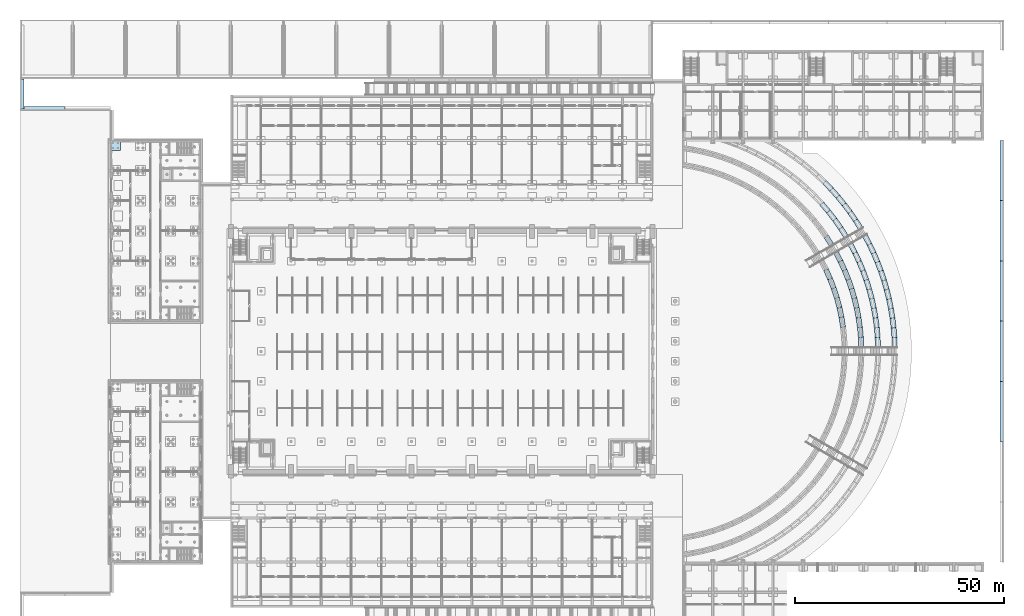
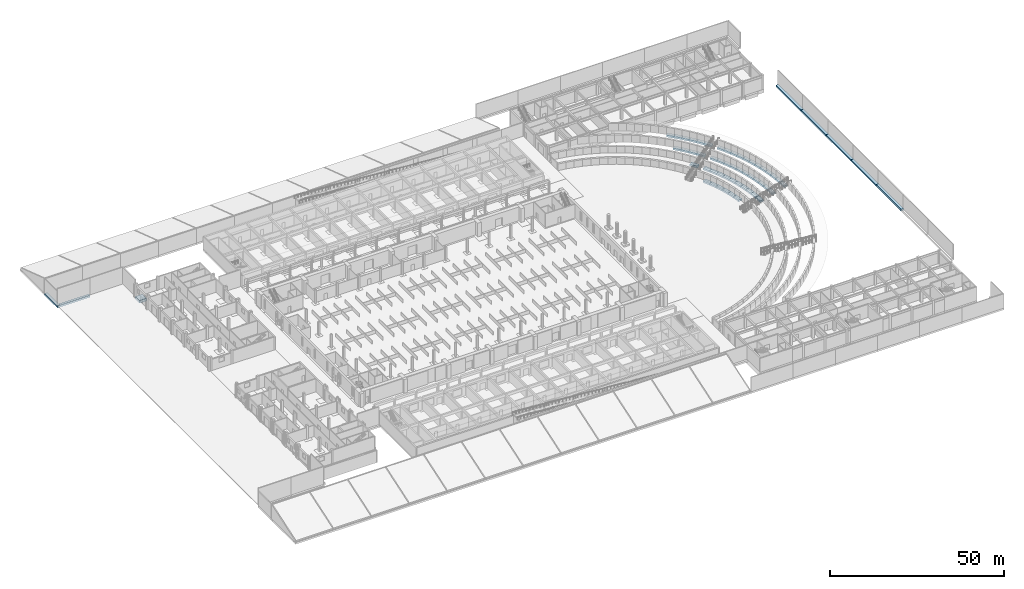
# One storey, part 10 of 73: 58 footings.
"""IFC4 building model written with IfcOpenShell, lengths in metres."""

from ifc_helpers import new_model, si_unit, direction, frame, origin, place, context, subcontext, project, spatial, polyline, outline, extrude, material, type_object, element, save


model = new_model("IFC4")

# Units and contexts
model_context = context("Model", 3, precision=1e-05, world=origin(), true_north=direction((0.0, 1.0)))
body_context = subcontext(model_context, "Body", "Model", "MODEL_VIEW")
ifc_project = project(units=[si_unit("LENGTHUNIT", "METRE"), si_unit("AREAUNIT", "SQUARE_METRE"), si_unit("VOLUMEUNIT", "CUBIC_METRE"), si_unit("PLANEANGLEUNIT", "RADIAN"), si_unit("MASSUNIT", "GRAM", prefix="KILO")], contexts=[model_context])

# Site, building, storey
site_placement = place(None, origin())
site = spatial("IfcSite", under=ifc_project, at=site_placement, CompositionType="ELEMENT")
building_placement = place(site_placement, origin())
building = spatial("IfcBuilding", under=site, at=building_placement, Name="Alderwick Market Hall", CompositionType="ELEMENT")
storey_placement = place(building_placement, origin())
storey = spatial("IfcBuildingStorey", under=building, at=storey_placement, Name="LG", CompositionType="ELEMENT", Elevation=0.0)

# Footings
ifc_material_1 = material(Name="Concrete 5000 psi (f'c 35 MPa)", Category="concrete")
footing_type_1 = type_object("IfcFootingType", Name="B Pile Cap 2400x2400x900", PredefinedType="PILE_CAP", material=ifc_material_1)
footing_1_placement = place(storey_placement, frame((0.0, 0.0, -0.89990234375)))
element("IfcFooting", 1, at=footing_1_placement, inside=storey, type_object=footing_type_1, Name="B.N.cap.003-003", PredefinedType="PILE_CAP", context=body_context, shape_type="SweptSolid", body=[
    extrude(outline(polyline([(21.60009765625, 127.199951171875), (24.0, 127.199951171875), (24.0, 129.60009765625), (21.60009765625, 129.60009765625), (21.60009765625, 127.199951171875)])), origin(), (0.0, 0.0, 1.0), 0.89990234375),
])
ifc_material_2 = material(Name="Concrete 4000 psi (f'c 28 MPa)", Category="concrete")
footing_type_2 = type_object("IfcFootingType", Name="S Strip Footing 900", PredefinedType="STRIP_FOOTING", material=ifc_material_2)
footing_2_placement = place(storey_placement, frame((0.0, 0.0, -0.85009765625)))
element("IfcFooting", 2, at=footing_2_placement, inside=storey, type_object=footing_type_2, Name="S.efoot.03a.1", PredefinedType="STRIP_FOOTING", context=body_context, shape_type="SweptSolid", body=[
    extrude(outline(polyline([(10.800048828125, 136.800048828125), (10.800048828125, 137.699951171875), (0.0, 137.699951171875), (0.0, 136.800048828125), (10.800048828125, 136.800048828125)])), origin(), (0.0, 0.0, 1.0), 0.60009765625),
])
footing_3_placement = place(storey_placement, frame((0.0, 0.0, -0.800048828125)))
element("IfcFooting", 3, at=footing_3_placement, inside=storey, type_object=footing_type_2, Name="S.ffoot.W1.28", PredefinedType="STRIP_FOOTING", context=body_context, shape_type="SweptSolid", body=[
    extrude(outline(polyline([(197.322998046875, 85.052490234375), (196.947265625, 87.45068359375), (195.76708984375, 87.233642578125), (196.1328125, 84.898681640625), (197.322998046875, 85.052490234375)])), origin(), (0.0, 0.0, 1.0), 0.60009765625),
])
footing_4_placement = place(storey_placement, frame((0.0, 0.0, -0.800048828125)))
element("IfcFooting", 4, at=footing_4_placement, inside=storey, type_object=footing_type_2, Name="S.ffoot.W1.29", PredefinedType="STRIP_FOOTING", context=body_context, shape_type="SweptSolid", body=[
    extrude(outline(polyline([(196.947265625, 87.45068359375), (196.444580078125, 89.82568359375), (195.27783203125, 89.5458984375), (195.76708984375, 87.233642578125), (196.947265625, 87.45068359375)])), origin(), (0.0, 0.0, 1.0), 0.60009765625),
])
footing_5_placement = place(storey_placement, frame((0.0, 0.0, -0.800048828125)))
element("IfcFooting", 5, at=footing_5_placement, inside=storey, type_object=footing_type_2, Name="S.ffoot.W1.30", PredefinedType="STRIP_FOOTING", context=body_context, shape_type="SweptSolid", body=[
    extrude(outline(polyline([(196.444580078125, 89.82568359375), (195.81640625, 92.17041015625), (194.666015625, 91.8291015625), (195.27783203125, 89.5458984375), (196.444580078125, 89.82568359375)])), origin(), (0.0, 0.0, 1.0), 0.60009765625),
])
footing_6_placement = place(storey_placement, frame((0.0, 0.0, -0.800048828125)))
element("IfcFooting", 6, at=footing_6_placement, inside=storey, type_object=footing_type_2, Name="S.ffoot.W1.31", PredefinedType="STRIP_FOOTING", context=body_context, shape_type="SweptSolid", body=[
    extrude(outline(polyline([(195.81640625, 92.17041015625), (195.064208984375, 94.478271484375), (193.93359375, 94.076171875), (194.666015625, 91.8291015625), (195.81640625, 92.17041015625)])), origin(), (0.0, 0.0, 1.0), 0.60009765625),
])
footing_7_placement = place(storey_placement, frame((0.0, 0.0, -0.800048828125)))
element("IfcFooting", 7, at=footing_7_placement, inside=storey, type_object=footing_type_2, Name="S.ffoot.W1.32", PredefinedType="STRIP_FOOTING", context=body_context, shape_type="SweptSolid", body=[
    extrude(outline(polyline([(195.064208984375, 94.478271484375), (194.1904296875, 96.742919921875), (193.082763671875, 96.28125), (193.93359375, 94.076171875), (195.064208984375, 94.478271484375)])), origin(), (0.0, 0.0, 1.0), 0.60009765625),
])
footing_8_placement = place(storey_placement, frame((0.0, 0.0, -0.800048828125)))
element("IfcFooting", 8, at=footing_8_placement, inside=storey, type_object=footing_type_2, Name="S.ffoot.W1.33", PredefinedType="STRIP_FOOTING", context=body_context, shape_type="SweptSolid", body=[
    extrude(outline(polyline([(194.1904296875, 96.742919921875), (193.197265625, 98.957763671875), (192.11572265625, 98.43798828125), (193.082763671875, 96.28125), (194.1904296875, 96.742919921875)])), origin(), (0.0, 0.0, 1.0), 0.60009765625),
])
footing_9_placement = place(storey_placement, frame((0.0, 0.0, 0.300048828125)))
element("IfcFooting", 9, at=footing_9_placement, inside=storey, type_object=footing_type_2, Name="S.ffoot.W2.29", PredefinedType="STRIP_FOOTING", context=body_context, shape_type="SweptSolid", body=[
    extrude(outline(polyline([(201.689697265625, 80.212158203125), (201.5830078125, 82.604248046875), (200.385986328125, 82.52197265625), (200.489990234375, 80.187744140625), (201.689697265625, 80.212158203125)])), origin(), (0.0, 0.0, 1.0), 0.599853515625),
])
footing_10_placement = place(storey_placement, frame((0.0, 0.0, 0.300048828125)))
element("IfcFooting", 10, at=footing_10_placement, inside=storey, type_object=footing_type_2, Name="S.ffoot.W2.30", PredefinedType="STRIP_FOOTING", context=body_context, shape_type="SweptSolid", body=[
    extrude(outline(polyline([(201.5830078125, 82.604248046875), (201.361083984375, 84.98828125), (200.169189453125, 84.84814453125), (200.385986328125, 82.52197265625), (201.5830078125, 82.604248046875)])), origin(), (0.0, 0.0, 1.0), 0.599853515625),
])
footing_11_placement = place(storey_placement, frame((0.0, 0.0, 0.300048828125)))
element("IfcFooting", 11, at=footing_11_placement, inside=storey, type_object=footing_type_2, Name="S.ffoot.W2.31", PredefinedType="STRIP_FOOTING", context=body_context, shape_type="SweptSolid", body=[
    extrude(outline(polyline([(201.361083984375, 84.98828125), (201.0244140625, 87.35888671875), (199.8408203125, 87.161376953125), (200.169189453125, 84.84814453125), (201.361083984375, 84.98828125)])), origin(), (0.0, 0.0, 1.0), 0.599853515625),
])
footing_12_placement = place(storey_placement, frame((0.0, 0.0, 0.300048828125)))
element("IfcFooting", 12, at=footing_12_placement, inside=storey, type_object=footing_type_2, Name="S.ffoot.W2.32", PredefinedType="STRIP_FOOTING", context=body_context, shape_type="SweptSolid", body=[
    extrude(outline(polyline([(201.0244140625, 87.35888671875), (200.573486328125, 89.71044921875), (199.40087890625, 89.4560546875), (199.8408203125, 87.161376953125), (201.0244140625, 87.35888671875)])), origin(), (0.0, 0.0, 1.0), 0.599853515625),
])
footing_13_placement = place(storey_placement, frame((0.0, 0.0, 0.300048828125)))
element("IfcFooting", 13, at=footing_13_placement, inside=storey, type_object=footing_type_2, Name="S.ffoot.W2.33", PredefinedType="STRIP_FOOTING", context=body_context, shape_type="SweptSolid", body=[
    extrude(outline(polyline([(200.573486328125, 89.71044921875), (200.010009765625, 92.037353515625), (198.850830078125, 91.726806640625), (199.40087890625, 89.4560546875), (200.573486328125, 89.71044921875)])), origin(), (0.0, 0.0, 1.0), 0.599853515625),
])
footing_14_placement = place(storey_placement, frame((0.0, 0.0, 0.300048828125)))
element("IfcFooting", 14, at=footing_14_placement, inside=storey, type_object=footing_type_2, Name="S.ffoot.W2.34", PredefinedType="STRIP_FOOTING", context=body_context, shape_type="SweptSolid", body=[
    extrude(outline(polyline([(200.010009765625, 92.037353515625), (199.334716796875, 94.334716796875), (198.19189453125, 93.968505859375), (198.850830078125, 91.726806640625), (200.010009765625, 92.037353515625)])), origin(), (0.0, 0.0, 1.0), 0.599853515625),
])
footing_15_placement = place(storey_placement, frame((0.0, 0.0, 0.300048828125)))
element("IfcFooting", 15, at=footing_15_placement, inside=storey, type_object=footing_type_2, Name="S.ffoot.W2.35", PredefinedType="STRIP_FOOTING", context=body_context, shape_type="SweptSolid", body=[
    extrude(outline(polyline([(199.334716796875, 94.334716796875), (198.54931640625, 96.596435546875), (197.42529296875, 96.175537109375), (198.19189453125, 93.968505859375), (199.334716796875, 94.334716796875)])), origin(), (0.0, 0.0, 1.0), 0.599853515625),
])
footing_16_placement = place(storey_placement, frame((0.0, 0.0, 0.300048828125)))
element("IfcFooting", 16, at=footing_16_placement, inside=storey, type_object=footing_type_2, Name="S.ffoot.W2.36", PredefinedType="STRIP_FOOTING", context=body_context, shape_type="SweptSolid", body=[
    extrude(outline(polyline([(198.54931640625, 96.596435546875), (197.655517578125, 98.81787109375), (196.55322265625, 98.343017578125), (197.42529296875, 96.175537109375), (198.54931640625, 96.596435546875)])), origin(), (0.0, 0.0, 1.0), 0.599853515625),
])
footing_17_placement = place(storey_placement, frame((0.0, 0.0, 0.300048828125)))
element("IfcFooting", 17, at=footing_17_placement, inside=storey, type_object=footing_type_2, Name="S.ffoot.W2.37", PredefinedType="STRIP_FOOTING", context=body_context, shape_type="SweptSolid", body=[
    extrude(outline(polyline([(197.655517578125, 98.81787109375), (196.65576171875, 100.993408203125), (195.57763671875, 100.466064453125), (196.55322265625, 98.343017578125), (197.655517578125, 98.81787109375)])), origin(), (0.0, 0.0, 1.0), 0.599853515625),
])
footing_18_placement = place(storey_placement, frame((0.0, 0.0, 0.300048828125)))
element("IfcFooting", 18, at=footing_18_placement, inside=storey, type_object=footing_type_2, Name="S.ffoot.W2.38", PredefinedType="STRIP_FOOTING", context=body_context, shape_type="SweptSolid", body=[
    extrude(outline(polyline([(196.65576171875, 100.993408203125), (195.552001953125, 103.1181640625), (194.500732421875, 102.53955078125), (195.57763671875, 100.466064453125), (196.65576171875, 100.993408203125)])), origin(), (0.0, 0.0, 1.0), 0.599853515625),
])
footing_19_placement = place(storey_placement, frame((0.0, 0.0, 0.300048828125)))
element("IfcFooting", 19, at=footing_19_placement, inside=storey, type_object=footing_type_2, Name="S.ffoot.W2.39", PredefinedType="STRIP_FOOTING", context=body_context, shape_type="SweptSolid", body=[
    extrude(outline(polyline([(194.539794921875, 104.87158203125), (193.20703125, 106.95556640625), (192.21240234375, 106.2841796875), (193.512939453125, 104.25048828125), (194.539794921875, 104.87158203125)])), origin(), (0.0, 0.0, 1.0), 0.599853515625),
])
footing_20_placement = place(storey_placement, frame((0.0, 0.0, 1.5)))
element("IfcFooting", 20, at=footing_20_placement, inside=storey, type_object=footing_type_2, Name="S.ffoot.W3.27", PredefinedType="STRIP_FOOTING", context=body_context, shape_type="SweptSolid", body=[
    extrude(outline(polyline([(205.6904296875, 80.211181640625), (205.593505859375, 82.57666015625), (204.39599609375, 82.5009765625), (204.49072265625, 80.188720703125), (205.6904296875, 80.211181640625)])), origin(), (0.0, 0.0, 1.0), 0.60009765625),
])
footing_21_placement = place(storey_placement, frame((0.0, 0.0, 1.5)))
element("IfcFooting", 21, at=footing_21_placement, inside=storey, type_object=footing_type_2, Name="S.ffoot.W3.28", PredefinedType="STRIP_FOOTING", context=body_context, shape_type="SweptSolid", body=[
    extrude(outline(polyline([(205.593505859375, 82.57666015625), (205.392333984375, 84.935302734375), (204.19921875, 84.806884765625), (204.39599609375, 82.5009765625), (205.593505859375, 82.57666015625)])), origin(), (0.0, 0.0, 1.0), 0.60009765625),
])
footing_22_placement = place(storey_placement, frame((0.0, 0.0, 1.5)))
element("IfcFooting", 22, at=footing_22_placement, inside=storey, type_object=footing_type_2, Name="S.ffoot.W3.29", PredefinedType="STRIP_FOOTING", context=body_context, shape_type="SweptSolid", body=[
    extrude(outline(polyline([(205.392333984375, 84.935302734375), (205.087158203125, 87.28271484375), (203.90087890625, 87.101806640625), (204.19921875, 84.806884765625), (205.392333984375, 84.935302734375)])), origin(), (0.0, 0.0, 1.0), 0.60009765625),
])
footing_23_placement = place(storey_placement, frame((0.0, 0.0, 1.5)))
element("IfcFooting", 23, at=footing_23_placement, inside=storey, type_object=footing_type_2, Name="S.ffoot.W3.30", PredefinedType="STRIP_FOOTING", context=body_context, shape_type="SweptSolid", body=[
    extrude(outline(polyline([(205.087158203125, 87.28271484375), (204.678466796875, 89.614501953125), (203.501220703125, 89.38134765625), (203.90087890625, 87.101806640625), (205.087158203125, 87.28271484375)])), origin(), (0.0, 0.0, 1.0), 0.60009765625),
])
footing_24_placement = place(storey_placement, frame((0.0, 0.0, 1.5)))
element("IfcFooting", 24, at=footing_24_placement, inside=storey, type_object=footing_type_2, Name="S.ffoot.W3.31", PredefinedType="STRIP_FOOTING", context=body_context, shape_type="SweptSolid", body=[
    extrude(outline(polyline([(204.678466796875, 89.614501953125), (204.167236328125, 91.926025390625), (203.001708984375, 91.64111328125), (203.501220703125, 89.38134765625), (204.678466796875, 89.614501953125)])), origin(), (0.0, 0.0, 1.0), 0.60009765625),
])
footing_25_placement = place(storey_placement, frame((0.0, 0.0, 1.5)))
element("IfcFooting", 25, at=footing_25_placement, inside=storey, type_object=footing_type_2, Name="S.ffoot.W3.32", PredefinedType="STRIP_FOOTING", context=body_context, shape_type="SweptSolid", body=[
    extrude(outline(polyline([(204.167236328125, 91.926025390625), (203.5546875, 94.212646484375), (202.402587890625, 93.87646484375), (203.001708984375, 91.64111328125), (204.167236328125, 91.926025390625)])), origin(), (0.0, 0.0, 1.0), 0.60009765625),
])
footing_26_placement = place(storey_placement, frame((0.0, 0.0, 1.5)))
element("IfcFooting", 26, at=footing_26_placement, inside=storey, type_object=footing_type_2, Name="S.ffoot.W3.33", PredefinedType="STRIP_FOOTING", context=body_context, shape_type="SweptSolid", body=[
    extrude(outline(polyline([(203.5546875, 94.212646484375), (202.841552734375, 96.469970703125), (201.70556640625, 96.083251953125), (202.402587890625, 93.87646484375), (203.5546875, 94.212646484375)])), origin(), (0.0, 0.0, 1.0), 0.60009765625),
])
footing_27_placement = place(storey_placement, frame((0.0, 0.0, 1.5)))
element("IfcFooting", 27, at=footing_27_placement, inside=storey, type_object=footing_type_2, Name="S.ffoot.W3.34", PredefinedType="STRIP_FOOTING", context=body_context, shape_type="SweptSolid", body=[
    extrude(outline(polyline([(202.841552734375, 96.469970703125), (202.029541015625, 98.693603515625), (200.91162109375, 98.257080078125), (201.70556640625, 96.083251953125), (202.841552734375, 96.469970703125)])), origin(), (0.0, 0.0, 1.0), 0.60009765625),
])
footing_28_placement = place(storey_placement, frame((0.0, 0.0, 1.5)))
element("IfcFooting", 28, at=footing_28_placement, inside=storey, type_object=footing_type_2, Name="S.ffoot.W3.35", PredefinedType="STRIP_FOOTING", context=body_context, shape_type="SweptSolid", body=[
    extrude(outline(polyline([(202.029541015625, 98.693603515625), (201.1201171875, 100.879150390625), (200.022705078125, 100.393798828125), (200.91162109375, 98.257080078125), (202.029541015625, 98.693603515625)])), origin(), (0.0, 0.0, 1.0), 0.60009765625),
])
footing_29_placement = place(storey_placement, frame((0.0, 0.0, 1.5)))
element("IfcFooting", 29, at=footing_29_placement, inside=storey, type_object=footing_type_2, Name="S.ffoot.W3.36", PredefinedType="STRIP_FOOTING", context=body_context, shape_type="SweptSolid", body=[
    extrude(outline(polyline([(201.1201171875, 100.879150390625), (200.114990234375, 103.0224609375), (199.0400390625, 102.4892578125), (200.022705078125, 100.393798828125), (201.1201171875, 100.879150390625)])), origin(), (0.0, 0.0, 1.0), 0.60009765625),
])
footing_30_placement = place(storey_placement, frame((0.0, 0.0, 1.5)))
element("IfcFooting", 30, at=footing_30_placement, inside=storey, type_object=footing_type_2, Name="S.ffoot.W3.37", PredefinedType="STRIP_FOOTING", context=body_context, shape_type="SweptSolid", body=[
    extrude(outline(polyline([(200.114990234375, 103.0224609375), (199.016357421875, 105.119384765625), (197.966064453125, 104.5390625), (199.0400390625, 102.4892578125), (200.114990234375, 103.0224609375)])), origin(), (0.0, 0.0, 1.0), 0.60009765625),
])
footing_31_placement = place(storey_placement, frame((0.0, 0.0, 1.5)))
element("IfcFooting", 31, at=footing_31_placement, inside=storey, type_object=footing_type_2, Name="S.ffoot.W3.38", PredefinedType="STRIP_FOOTING", context=body_context, shape_type="SweptSolid", body=[
    extrude(outline(polyline([(198.0048828125, 106.87109375), (196.66650390625, 108.97900390625), (195.668701171875, 108.3125), (196.977294921875, 106.251708984375), (198.0048828125, 106.87109375)])), origin(), (0.0, 0.0, 1.0), 0.60009765625),
])
footing_32_placement = place(storey_placement, frame((0.0, 0.0, 1.5)))
element("IfcFooting", 32, at=footing_32_placement, inside=storey, type_object=footing_type_2, Name="S.ffoot.W3.39", PredefinedType="STRIP_FOOTING", context=body_context, shape_type="SweptSolid", body=[
    extrude(outline(polyline([(196.66650390625, 108.97900390625), (195.23095703125, 111.0224609375), (194.265380859375, 110.31005859375), (195.668701171875, 108.3125), (196.66650390625, 108.97900390625)])), origin(), (0.0, 0.0, 1.0), 0.60009765625),
])
footing_33_placement = place(storey_placement, frame((0.0, 0.0, 1.5)))
element("IfcFooting", 33, at=footing_33_placement, inside=storey, type_object=footing_type_2, Name="S.ffoot.W3.40", PredefinedType="STRIP_FOOTING", context=body_context, shape_type="SweptSolid", body=[
    extrude(outline(polyline([(195.23095703125, 111.0224609375), (193.7021484375, 112.996826171875), (192.770751953125, 112.240234375), (194.265380859375, 110.31005859375), (195.23095703125, 111.0224609375)])), origin(), (0.0, 0.0, 1.0), 0.60009765625),
])
footing_34_placement = place(storey_placement, frame((0.0, 0.0, 1.5)))
element("IfcFooting", 34, at=footing_34_placement, inside=storey, type_object=footing_type_2, Name="S.ffoot.W3.41", PredefinedType="STRIP_FOOTING", context=body_context, shape_type="SweptSolid", body=[
    extrude(outline(polyline([(193.7021484375, 112.996826171875), (192.082763671875, 114.89794921875), (191.1875, 114.0986328125), (192.770751953125, 112.240234375), (193.7021484375, 112.996826171875)])), origin(), (0.0, 0.0, 1.0), 0.60009765625),
])
footing_35_placement = place(storey_placement, frame((0.0, 0.0, 2.699951171875)))
element("IfcFooting", 35, at=footing_35_placement, inside=storey, type_object=footing_type_2, Name="S.ffoot.W4.26", PredefinedType="STRIP_FOOTING", context=body_context, shape_type="SweptSolid", body=[
    extrude(outline(polyline([(209.691162109375, 80.21044921875), (209.602294921875, 82.553466796875), (208.404296875, 82.483642578125), (208.4912109375, 80.189453125), (209.691162109375, 80.21044921875)])), origin(), (0.0, 0.0, 1.0), 0.60009765625),
])
footing_36_placement = place(storey_placement, frame((0.0, 0.0, 2.699951171875)))
element("IfcFooting", 36, at=footing_36_placement, inside=storey, type_object=footing_type_2, Name="S.ffoot.W4.27", PredefinedType="STRIP_FOOTING", context=body_context, shape_type="SweptSolid", body=[
    extrude(outline(polyline([(209.602294921875, 82.553466796875), (209.418212890625, 84.89111328125), (208.22412109375, 84.7724609375), (208.404296875, 82.483642578125), (209.602294921875, 82.553466796875)])), origin(), (0.0, 0.0, 1.0), 0.60009765625),
])
footing_37_placement = place(storey_placement, frame((0.0, 0.0, 2.699951171875)))
element("IfcFooting", 37, at=footing_37_placement, inside=storey, type_object=footing_type_2, Name="S.ffoot.W4.28", PredefinedType="STRIP_FOOTING", context=body_context, shape_type="SweptSolid", body=[
    extrude(outline(polyline([(209.418212890625, 84.89111328125), (209.13916015625, 87.218994140625), (207.95068359375, 87.052001953125), (208.22412109375, 84.7724609375), (209.418212890625, 84.89111328125)])), origin(), (0.0, 0.0, 1.0), 0.60009765625),
])
footing_38_placement = place(storey_placement, frame((0.0, 0.0, 2.699951171875)))
element("IfcFooting", 38, at=footing_38_placement, inside=storey, type_object=footing_type_2, Name="S.ffoot.W4.29", PredefinedType="STRIP_FOOTING", context=body_context, shape_type="SweptSolid", body=[
    extrude(outline(polyline([(209.13916015625, 87.218994140625), (208.765380859375, 89.53369140625), (207.5849609375, 89.318359375), (207.95068359375, 87.052001953125), (209.13916015625, 87.218994140625)])), origin(), (0.0, 0.0, 1.0), 0.60009765625),
])
footing_39_placement = place(storey_placement, frame((0.0, 0.0, 2.699951171875)))
element("IfcFooting", 39, at=footing_39_placement, inside=storey, type_object=footing_type_2, Name="S.ffoot.W4.30", PredefinedType="STRIP_FOOTING", context=body_context, shape_type="SweptSolid", body=[
    extrude(outline(polyline([(208.765380859375, 89.53369140625), (208.298095703125, 91.831298828125), (207.127197265625, 91.568115234375), (207.5849609375, 89.318359375), (208.765380859375, 89.53369140625)])), origin(), (0.0, 0.0, 1.0), 0.60009765625),
])
footing_40_placement = place(storey_placement, frame((0.0, 0.0, 2.699951171875)))
element("IfcFooting", 40, at=footing_40_placement, inside=storey, type_object=footing_type_2, Name="S.ffoot.W4.31", PredefinedType="STRIP_FOOTING", context=body_context, shape_type="SweptSolid", body=[
    extrude(outline(polyline([(208.298095703125, 91.831298828125), (207.7373046875, 94.10791015625), (206.578125, 93.79736328125), (207.127197265625, 91.568115234375), (208.298095703125, 91.831298828125)])), origin(), (0.0, 0.0, 1.0), 0.60009765625),
])
footing_41_placement = place(storey_placement, frame((0.0, 0.0, 2.699951171875)))
element("IfcFooting", 41, at=footing_41_placement, inside=storey, type_object=footing_type_2, Name="S.ffoot.W4.32", PredefinedType="STRIP_FOOTING", context=body_context, shape_type="SweptSolid", body=[
    extrude(outline(polyline([(207.7373046875, 94.10791015625), (207.08447265625, 96.35986328125), (205.93896484375, 96.00244140625), (206.578125, 93.79736328125), (207.7373046875, 94.10791015625)])), origin(), (0.0, 0.0, 1.0), 0.60009765625),
])
footing_42_placement = place(storey_placement, frame((0.0, 0.0, 2.699951171875)))
element("IfcFooting", 42, at=footing_42_placement, inside=storey, type_object=footing_type_2, Name="S.ffoot.W4.33", PredefinedType="STRIP_FOOTING", context=body_context, shape_type="SweptSolid", body=[
    extrude(outline(polyline([(207.08447265625, 96.35986328125), (206.340576171875, 98.58349609375), (205.210693359375, 98.1796875), (205.93896484375, 96.00244140625), (207.08447265625, 96.35986328125)])), origin(), (0.0, 0.0, 1.0), 0.60009765625),
])
footing_43_placement = place(storey_placement, frame((0.0, 0.0, 2.699951171875)))
element("IfcFooting", 43, at=footing_43_placement, inside=storey, type_object=footing_type_2, Name="S.ffoot.W4.34", PredefinedType="STRIP_FOOTING", context=body_context, shape_type="SweptSolid", body=[
    extrude(outline(polyline([(206.340576171875, 98.58349609375), (205.5068359375, 100.77490234375), (204.39404296875, 100.325439453125), (205.210693359375, 98.1796875), (206.340576171875, 98.58349609375)])), origin(), (0.0, 0.0, 1.0), 0.60009765625),
])
footing_44_placement = place(storey_placement, frame((0.0, 0.0, 2.699951171875)))
element("IfcFooting", 44, at=footing_44_placement, inside=storey, type_object=footing_type_2, Name="S.ffoot.W4.35", PredefinedType="STRIP_FOOTING", context=body_context, shape_type="SweptSolid", body=[
    extrude(outline(polyline([(205.5068359375, 100.77490234375), (204.58447265625, 102.9306640625), (203.4912109375, 102.436279296875), (204.39404296875, 100.325439453125), (205.5068359375, 100.77490234375)])), origin(), (0.0, 0.0, 1.0), 0.60009765625),
])
footing_45_placement = place(storey_placement, frame((0.0, 0.0, 2.699951171875)))
element("IfcFooting", 45, at=footing_45_placement, inside=storey, type_object=footing_type_2, Name="S.ffoot.W4.36", PredefinedType="STRIP_FOOTING", context=body_context, shape_type="SweptSolid", body=[
    extrude(outline(polyline([(204.58447265625, 102.9306640625), (203.5751953125, 105.046875), (202.502685546875, 104.50830078125), (203.4912109375, 102.436279296875), (204.58447265625, 102.9306640625)])), origin(), (0.0, 0.0, 1.0), 0.60009765625),
])
footing_46_placement = place(storey_placement, frame((0.0, 0.0, 2.699951171875)))
element("IfcFooting", 46, at=footing_46_placement, inside=storey, type_object=footing_type_2, Name="S.ffoot.W4.37", PredefinedType="STRIP_FOOTING", context=body_context, shape_type="SweptSolid", body=[
    extrude(outline(polyline([(203.5751953125, 105.046875), (202.480712890625, 107.120361328125), (201.43115234375, 106.538818359375), (202.502685546875, 104.50830078125), (203.5751953125, 105.046875)])), origin(), (0.0, 0.0, 1.0), 0.60009765625),
])
footing_47_placement = place(storey_placement, frame((0.0, 0.0, 2.699951171875)))
element("IfcFooting", 47, at=footing_47_placement, inside=storey, type_object=footing_type_2, Name="S.ffoot.W4.38", PredefinedType="STRIP_FOOTING", context=body_context, shape_type="SweptSolid", body=[
    extrude(outline(polyline([(201.47021484375, 108.87060546875), (200.209228515625, 110.87451171875), (199.206787109375, 110.214599609375), (200.441650390625, 108.252685546875), (201.47021484375, 108.87060546875)])), origin(), (0.0, 0.0, 1.0), 0.60009765625),
])
footing_48_placement = place(storey_placement, frame((0.0, 0.0, 2.699951171875)))
element("IfcFooting", 48, at=footing_48_placement, inside=storey, type_object=footing_type_2, Name="S.ffoot.W4.39", PredefinedType="STRIP_FOOTING", context=body_context, shape_type="SweptSolid", body=[
    extrude(outline(polyline([(200.209228515625, 110.87451171875), (198.866943359375, 112.824462890625), (197.892578125, 112.1240234375), (199.206787109375, 110.214599609375), (200.209228515625, 110.87451171875)])), origin(), (0.0, 0.0, 1.0), 0.60009765625),
])
footing_49_placement = place(storey_placement, frame((0.0, 0.0, 2.699951171875)))
element("IfcFooting", 49, at=footing_49_placement, inside=storey, type_object=footing_type_2, Name="S.ffoot.W4.40", PredefinedType="STRIP_FOOTING", context=body_context, shape_type="SweptSolid", body=[
    extrude(outline(polyline([(198.866943359375, 112.824462890625), (197.44580078125, 114.718017578125), (196.501220703125, 113.977783203125), (197.892578125, 112.1240234375), (198.866943359375, 112.824462890625)])), origin(), (0.0, 0.0, 1.0), 0.60009765625),
])
footing_50_placement = place(storey_placement, frame((0.0, 0.0, 2.699951171875)))
element("IfcFooting", 50, at=footing_50_placement, inside=storey, type_object=footing_type_2, Name="S.ffoot.W4.41", PredefinedType="STRIP_FOOTING", context=body_context, shape_type="SweptSolid", body=[
    extrude(outline(polyline([(197.44580078125, 114.718017578125), (195.947998046875, 116.55126953125), (195.034423828125, 115.773193359375), (196.501220703125, 113.977783203125), (197.44580078125, 114.718017578125)])), origin(), (0.0, 0.0, 1.0), 0.60009765625),
])
footing_51_placement = place(storey_placement, frame((0.0, 0.0, 2.699951171875)))
element("IfcFooting", 51, at=footing_51_placement, inside=storey, type_object=footing_type_2, Name="S.ffoot.W4.42", PredefinedType="STRIP_FOOTING", context=body_context, shape_type="SweptSolid", body=[
    extrude(outline(polyline([(195.947998046875, 116.55126953125), (194.376220703125, 118.321533203125), (193.495361328125, 117.506591796875), (195.034423828125, 115.773193359375), (195.947998046875, 116.55126953125)])), origin(), (0.0, 0.0, 1.0), 0.60009765625),
])
footing_52_placement = place(storey_placement, frame((0.0, 0.0, 2.699951171875)))
element("IfcFooting", 52, at=footing_52_placement, inside=storey, type_object=footing_type_2, Name="S.ffoot.W4.43", PredefinedType="STRIP_FOOTING", context=body_context, shape_type="SweptSolid", body=[
    extrude(outline(polyline([(194.376220703125, 118.321533203125), (192.73291015625, 120.025634765625), (191.88623046875, 119.17529296875), (193.495361328125, 117.506591796875), (194.376220703125, 118.321533203125)])), origin(), (0.0, 0.0, 1.0), 0.60009765625),
])
footing_53_placement = place(storey_placement, frame((0.0, 0.0, -0.85009765625)))
element("IfcFooting", 53, at=footing_53_placement, inside=storey, type_object=footing_type_2, Name="S.bfoot.E04c", PredefinedType="STRIP_FOOTING", context=body_context, shape_type="SweptSolid", body=[
    extrude(outline(polyline([(234.300048828125, 57.60009765625), (235.199951171875, 57.60009765625), (235.199951171875, 72.0), (234.300048828125, 72.0), (234.300048828125, 57.60009765625)])), origin(), (0.0, 0.0, 1.0), 0.60009765625),
])
footing_54_placement = place(storey_placement, frame((0.0, 0.0, -0.85009765625)))
element("IfcFooting", 54, at=footing_54_placement, inside=storey, type_object=footing_type_2, Name="S.bfoot.E04d", PredefinedType="STRIP_FOOTING", context=body_context, shape_type="SweptSolid", body=[
    extrude(outline(polyline([(234.300048828125, 72.0), (235.199951171875, 72.0), (235.199951171875, 86.39990234375), (234.300048828125, 86.39990234375), (234.300048828125, 72.0)])), origin(), (0.0, 0.0, 1.0), 0.60009765625),
])
footing_55_placement = place(storey_placement, frame((0.0, 0.0, -0.85009765625)))
element("IfcFooting", 55, at=footing_55_placement, inside=storey, type_object=footing_type_2, Name="S.bfoot.E04e", PredefinedType="STRIP_FOOTING", context=body_context, shape_type="SweptSolid", body=[
    extrude(outline(polyline([(234.300048828125, 86.39990234375), (235.199951171875, 86.39990234375), (235.199951171875, 100.800048828125), (234.300048828125, 100.800048828125), (234.300048828125, 86.39990234375)])), origin(), (0.0, 0.0, 1.0), 0.60009765625),
])
footing_56_placement = place(storey_placement, frame((0.0, 0.0, -0.85009765625)))
element("IfcFooting", 56, at=footing_56_placement, inside=storey, type_object=footing_type_2, Name="S.bfoot.E04f", PredefinedType="STRIP_FOOTING", context=body_context, shape_type="SweptSolid", body=[
    extrude(outline(polyline([(234.300048828125, 100.800048828125), (235.199951171875, 100.800048828125), (235.199951171875, 115.199951171875), (234.300048828125, 115.199951171875), (234.300048828125, 100.800048828125)])), origin(), (0.0, 0.0, 1.0), 0.60009765625),
])
footing_57_placement = place(storey_placement, frame((0.0, 0.0, -0.85009765625)))
element("IfcFooting", 57, at=footing_57_placement, inside=storey, type_object=footing_type_2, Name="S.bfoot.E04g", PredefinedType="STRIP_FOOTING", context=body_context, shape_type="SweptSolid", body=[
    extrude(outline(polyline([(234.300048828125, 115.199951171875), (235.199951171875, 115.199951171875), (235.199951171875, 129.60009765625), (234.300048828125, 129.60009765625), (234.300048828125, 115.199951171875)])), origin(), (0.0, 0.0, 1.0), 0.60009765625),
])
footing_58_placement = place(storey_placement, frame((0.0, 0.0, -0.85009765625)))
element("IfcFooting", 58, at=footing_58_placement, inside=storey, type_object=footing_type_2, Name="S.bfoot.W07a", PredefinedType="STRIP_FOOTING", context=body_context, shape_type="SweptSolid", body=[
    extrude(outline(polyline([(0.0, 137.10009765625), (0.89990234375, 137.10009765625), (0.89990234375, 144.300048828125), (0.0, 144.300048828125), (0.0, 137.10009765625)])), origin(), (0.0, 0.0, 1.0), 0.60009765625),
])

save(model, "model.ifc")
